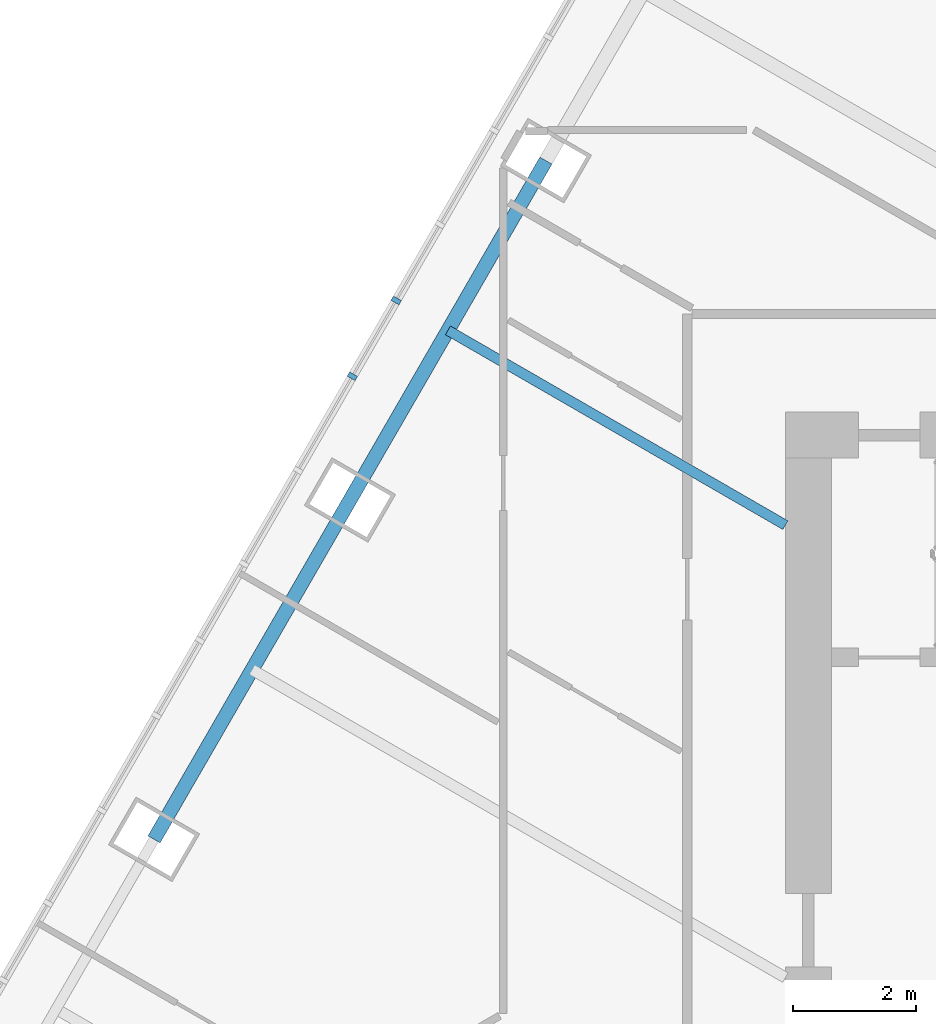
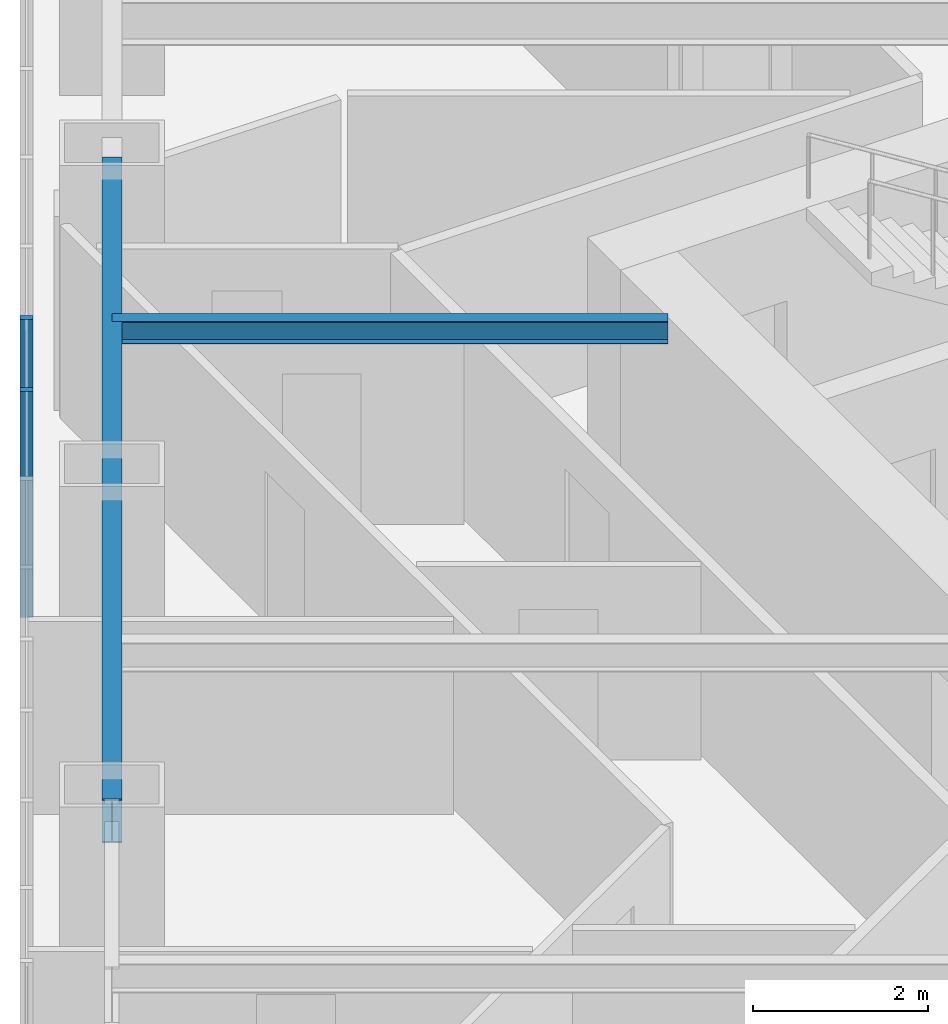
# One storey, part 5 of 21: 2 beams, 2 members, 1 element without a shape of its own.
"""IFC4 building model written with IfcOpenShell, lengths in metres."""

from ifc_helpers import new_model, si_unit, direction, frame, origin, origin_2d, place, context, subcontext, project, spatial, rectangle, i_section, extrude, material, layer, layer_set, material_profile, profile_set, type_object, element, aggregate, save


model = new_model("IFC4")

# Units and contexts
model_context = context("Model", 3, precision=1e-05, world=origin(), true_north=direction((0.0, 1.0)))
body_context = subcontext(model_context, "Body", "Model", "MODEL_VIEW")
ifc_project = project(units=[si_unit("LENGTHUNIT", "METRE"), si_unit("AREAUNIT", "SQUARE_METRE"), si_unit("VOLUMEUNIT", "CUBIC_METRE"), si_unit("PLANEANGLEUNIT", "RADIAN"), si_unit("MASSUNIT", "GRAM", prefix="KILO")], contexts=[model_context])

# Site, building, storey
site_placement = place(None, origin())
site = spatial("IfcSite", under=ifc_project, at=site_placement, CompositionType="ELEMENT")
building_placement = place(site_placement, origin())
building = spatial("IfcBuilding", under=site, at=building_placement, Name="Firuza Gate Tower and Library", CompositionType="ELEMENT")
storey_placement = place(building_placement, frame((0.0, 0.0, 284.60009765625)))
storey = spatial("IfcBuildingStorey", under=building, at=storey_placement, Name="L68", CompositionType="ELEMENT", Elevation=284.60009765625)

# Curtain wall, members
ifc_material_1 = material(Name="Aluminium 6063-T6", Category="aluminium")
ifc_layer = layer(ifc_material_1, 0.14990234375)
ifc_layer_set = layer_set([ifc_layer], Name="Unitised curtain wall, residences")
curtain_wall_type = type_object("IfcCurtainWallType", Name="Unitised curtain wall, residences", PredefinedType="NOTDEFINED", material=ifc_layer_set)
curtain_wall_placement = place(storey_placement, origin())
curtain_wall = element("IfcCurtainWall", 1, at=curtain_wall_placement, inside=storey, type_object=curtain_wall_type, Name="CW3 L68 W face", PredefinedType="NOTDEFINED")
ifc_material_2 = material(Name="Aluminium 6063-T6", Category="aluminium")
ifc_material_profile_1 = material_profile(ifc_material_2, rectangle(XDim=0.14990234375, YDim=0.080078125, at=origin_2d()))
ifc_profile_set_1 = profile_set([ifc_material_profile_1], Name="Aluminium 6063-T6")
member_type = type_object("IfcMemberType", Name="Curtain wall mullion 80x150", PredefinedType="MULLION", material=ifc_profile_set_1)
member_1_placement = place(storey_placement, frame((60.15380859375, 83.571533203125, 0.14990234375), z_axis=(0.0, 0.0, 1.0), x_axis=(0.866025403784, -0.5, 0.0)))
member_1 = element("IfcMember", 2, at=member_1_placement, type_object=member_type, Name="Mullion", PredefinedType="MULLION", context=body_context, shape_type="SweptSolid", body=[
    extrude(rectangle(XDim=0.14990234375, YDim=0.080078125, at=origin_2d()), origin(), (0.0, 0.0, 1.0), 3.14990234375),
])
member_2_placement = place(storey_placement, frame((59.439453125, 82.33447265625, 0.14990234375), z_axis=(0.0, 0.0, 1.0), x_axis=(0.866025403784, -0.5, 0.0)))
member_2 = element("IfcMember", 3, at=member_2_placement, type_object=member_type, Name="Mullion", PredefinedType="MULLION", context=body_context, shape_type="SweptSolid", body=[
    extrude(rectangle(XDim=0.14990234375, YDim=0.080078125, at=origin_2d()), origin(), (0.0, 0.0, 1.0), 3.14990234375),
])
aggregate(curtain_wall, [member_1, member_2])

# Beams
ifc_material_3 = material(Name="Steel S355", Category="steel")
ifc_material_profile_2 = material_profile(ifc_material_3, i_section(OverallWidth=0.1650390625, OverallDepth=0.31005859375, WebThickness=0.005859375, FlangeThickness=0.009765625, at=origin_2d()))
ifc_profile_set_2 = profile_set([ifc_material_profile_2], Name="Steel S355")
beam_type_1 = type_object("IfcBeamType", Name="W310x39 Floor beam", PredefinedType="JOIST", material=ifc_profile_set_2)
beam_1_placement = place(storey_placement, frame((60.998046875, 83.083984375, 3.14501953125), z_axis=(0.866028160477, -0.499995225238, 0.0), x_axis=(0.499995225238, 0.866028160477, 0.0)))
element("IfcBeam", 4, at=beam_1_placement, inside=storey, type_object=beam_type_1, Name="Floor beam L68 s82", PredefinedType="JOIST", context=body_context, shape_type="SweptSolid", body=[
    extrude(i_section(OverallWidth=0.1650390625, OverallDepth=0.31005859375, WebThickness=0.005859375, FlangeThickness=0.009765625, at=origin_2d()), origin(), (0.0, 0.0, 1.0), 6.35302734375),
])
ifc_material_4 = material(Name="Steel S355", Category="steel")
ifc_material_profile_3 = material_profile(ifc_material_4, i_section(OverallWidth=0.22900390625, OverallDepth=0.612060546875, WebThickness=0.011962890625, FlangeThickness=0.01953125, at=origin_2d()))
ifc_profile_set_3 = profile_set([ifc_material_profile_3], Name="Steel S355")
beam_type_2 = type_object("IfcBeamType", Name="W610x125 Edge beam", PredefinedType="SPANDREL", material=ifc_profile_set_3)
beam_2_placement = place(storey_placement, frame((62.595458984375, 85.8505859375, 2.993896484375), z_axis=(-0.500004150346, -0.866023007568, 0.0), x_axis=(0.866023007568, -0.500004150346, 0.0)))
element("IfcBeam", 5, at=beam_2_placement, inside=storey, type_object=beam_type_2, Name="Edge beam L68 e82", PredefinedType="SPANDREL", context=body_context, shape_type="SweptSolid", body=[
    extrude(i_section(OverallWidth=0.22900390625, OverallDepth=0.612060546875, WebThickness=0.011962890625, FlangeThickness=0.01953125, at=origin_2d()), origin(), (0.0, 0.0, 1.0), 12.77880859375),
])

save(model, "model.ifc")
